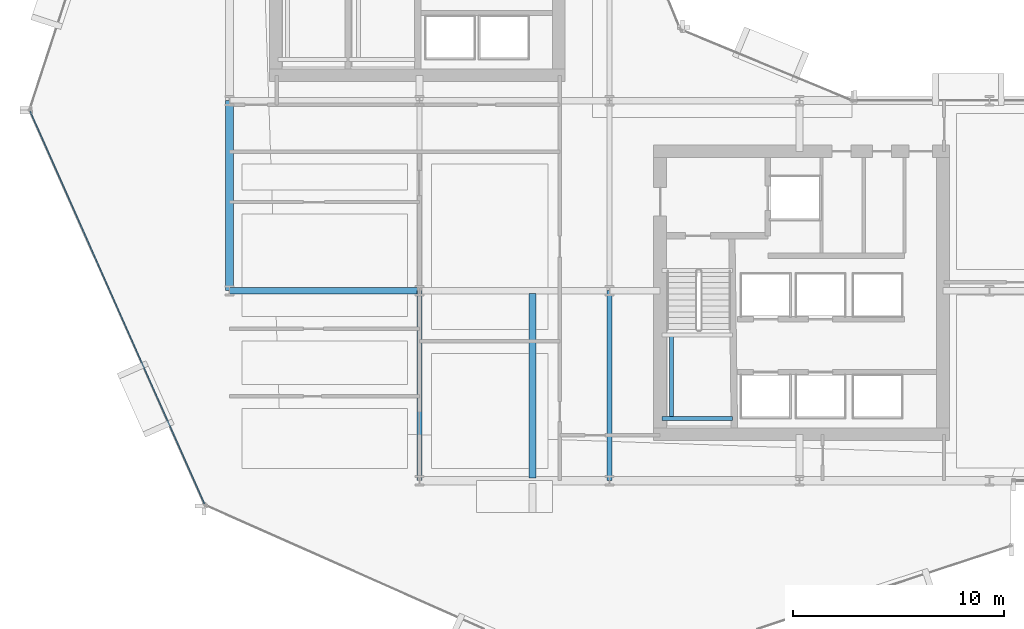
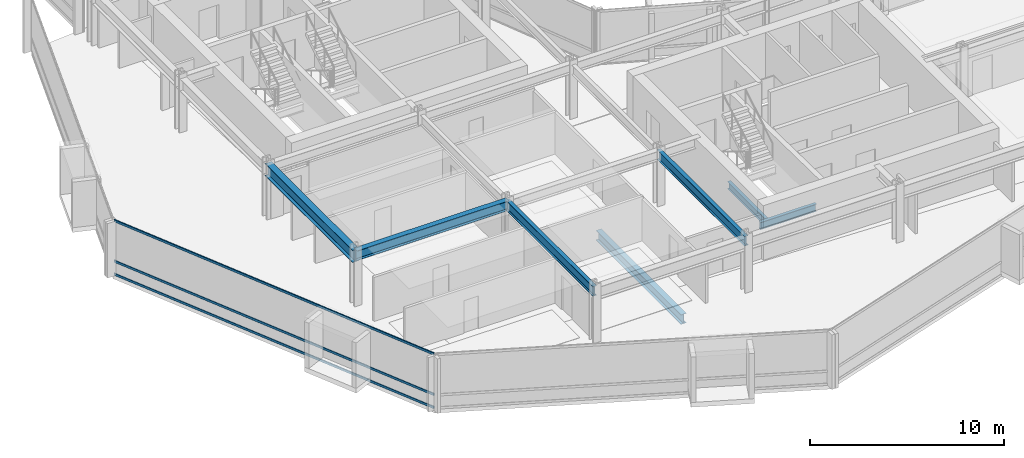
# One storey, part 5 of 34: 7 beams, 3 members, 1 element without a shape of its own.
"""IFC4 building model written with IfcOpenShell, lengths in metres."""

from ifc_helpers import new_model, si_unit, direction, frame, origin, origin_2d, place, context, subcontext, project, spatial, hollow_rectangle, i_section, extrude, material, layer, layer_set, material_profile, profile_set, type_object, element, aggregate, save


model = new_model("IFC4")

# Units and contexts
model_context = context("Model", 3, precision=1e-05, world=origin(), true_north=direction((0.0, 1.0)))
body_context = subcontext(model_context, "Body", "Model", "MODEL_VIEW")
ifc_project = project(units=[si_unit("LENGTHUNIT", "METRE"), si_unit("AREAUNIT", "SQUARE_METRE"), si_unit("VOLUMEUNIT", "CUBIC_METRE"), si_unit("PLANEANGLEUNIT", "RADIAN"), si_unit("MASSUNIT", "GRAM", prefix="KILO")], contexts=[model_context])

# Site, building, storey
site_placement = place(None, origin())
site = spatial("IfcSite", under=ifc_project, at=site_placement, CompositionType="ELEMENT")
building_placement = place(site_placement, origin())
building = spatial("IfcBuilding", under=site, at=building_placement, Name="Solvaryn Broadcast Tower", CompositionType="ELEMENT")
storey_placement = place(building_placement, frame((0.0, 0.0, 65.60009765625)))
storey = spatial("IfcBuildingStorey", under=building, at=storey_placement, Name="L15", CompositionType="ELEMENT", Elevation=65.60009765625)

# Beams
ifc_material_1 = material(Name="Steel ASTM A992 Grade 50", Category="steel")
ifc_material_profile_1 = material_profile(ifc_material_1, i_section(OverallWidth=0.323974609375, OverallDepth=0.611083984375, WebThickness=0.0126953125, FlangeThickness=0.01904296875, FilletRadius=0.014892578125, at=origin_2d()))
ifc_profile_set_1 = profile_set([ifc_material_profile_1], Name="Steel ASTM A992 Grade 50")
beam_type_1 = type_object("IfcBeamType", Name="BM-B1-W24X104", PredefinedType="BEAM", material=ifc_profile_set_1)
beam_1_placement = place(storey_placement, frame((23.35009765625, 17.875, -0.585693359375), z_axis=(0.0, -1.0, 0.0), x_axis=(1.0, 0.0, 0.0)))
element("IfcBeam", 1, at=beam_1_placement, inside=storey, type_object=beam_type_1, Name="L15 Bay-Box Back-Span Beam 1", PredefinedType="BEAM", context=body_context, shape_type="SweptSolid", body=[
    extrude(i_section(OverallWidth=0.323974609375, OverallDepth=0.611083984375, WebThickness=0.0126953125, FlangeThickness=0.01904296875, FilletRadius=0.014892578125, at=origin_2d()), origin(), (0.0, 0.0, 1.0), 8.75),
])
beam_2_placement = place(storey_placement, frame((9.0, 18.0, 3.114501953125), z_axis=(1.0, 0.0, 0.0), x_axis=(0.0, 1.0, 0.0)))
element("IfcBeam", 2, at=beam_2_placement, inside=storey, type_object=beam_type_1, Name="L15 Primary Beam X (9-18 @ Y=18)", PredefinedType="BEAM", context=body_context, shape_type="SweptSolid", body=[
    extrude(i_section(OverallWidth=0.323974609375, OverallDepth=0.611083984375, WebThickness=0.0126953125, FlangeThickness=0.01904296875, FilletRadius=0.014892578125, at=origin_2d()), origin(), (0.0, 0.0, 1.0), 9.0),
])
ifc_material_2 = material(Name="Steel ASTM A992 Grade 50", Category="steel")
ifc_material_profile_2 = material_profile(ifc_material_2, i_section(OverallWidth=0.22802734375, OverallDepth=0.60791015625, WebThickness=0.01123046875, FlangeThickness=0.017333984375, FilletRadius=0.014892578125, at=origin_2d()))
ifc_profile_set_2 = profile_set([ifc_material_profile_2], Name="Steel ASTM A992 Grade 50")
beam_type_2 = type_object("IfcBeamType", Name="BM-B2-W24X76", PredefinedType="BEAM", material=ifc_profile_set_2)
for number, where, z_axis, x_axis, name in (
    (3, (18.0, 9.0, 3.115966796875), (0.0, 1.0, 0.0), (-1.0, 0.0, 0.0), "L15 Primary Beam Y (9-18 @ X=18)"),
    (4, (27.0, 9.0, 3.115966796875), (0.0, 1.0, 0.0), (-1.0, 0.0, 0.0), "L15 Primary Beam Y (9-18 @ X=27)"),
):
    element("IfcBeam", number, at=place(storey_placement, frame(where, z_axis=z_axis, x_axis=x_axis)), inside=storey, type_object=beam_type_2, Name=name, PredefinedType="BEAM", context=body_context, shape_type="SweptSolid", body=[
        extrude(i_section(OverallWidth=0.22802734375, OverallDepth=0.60791015625, WebThickness=0.01123046875, FlangeThickness=0.017333984375, FilletRadius=0.014892578125, at=origin_2d()), origin(), (0.0, 0.0, 1.0), 9.0),
    ])
ifc_material_3 = material(Name="Steel ASTM A992 Grade 50", Category="steel")
ifc_material_profile_3 = material_profile(ifc_material_3, i_section(OverallWidth=0.18994140625, OverallDepth=0.45703125, WebThickness=0.009033203125, FlangeThickness=0.014404296875, FilletRadius=0.011962890625, at=origin_2d()))
ifc_profile_set_3 = profile_set([ifc_material_profile_3], Name="Steel ASTM A992 Grade 50")
beam_type_3 = type_object("IfcBeamType", Name="BM-B4-W18X50", PredefinedType="BEAM", material=ifc_profile_set_3)
beam_3_placement = place(storey_placement, frame((29.5, 11.949951171875, 1.42138671875), z_axis=(1.0, 0.0, 0.0), x_axis=(0.0, 1.0, 0.0)))
element("IfcBeam", 5, at=beam_3_placement, inside=storey, type_object=beam_type_3, Name="L15 ST3 Landing Support Beam 1A", PredefinedType="BEAM", context=body_context, shape_type="SweptSolid", body=[
    extrude(i_section(OverallWidth=0.18994140625, OverallDepth=0.45703125, WebThickness=0.009033203125, FlangeThickness=0.014404296875, FilletRadius=0.011962890625, at=origin_2d()), origin(), (0.0, 0.0, 1.0), 3.320068359375),
])
beam_4_placement = place(storey_placement, frame((29.949951171875, 11.949951171875, 1.42138671875), z_axis=(0.0, 1.0, 0.0), x_axis=(-1.0, 0.0, 0.0)))
element("IfcBeam", 6, at=beam_4_placement, inside=storey, type_object=beam_type_3, Name="L15 ST3 Landing Cross Stringer 1C", PredefinedType="BEAM", context=body_context, shape_type="SweptSolid", body=[
    extrude(i_section(OverallWidth=0.18994140625, OverallDepth=0.45703125, WebThickness=0.009033203125, FlangeThickness=0.014404296875, FilletRadius=0.011962890625, at=origin_2d()), origin(), (0.0, 0.0, 1.0), 3.9599609375),
])
ifc_material_4 = material(Name="Steel ASTM A992 Grade 50", Category="steel")
ifc_material_profile_4 = material_profile(ifc_material_4, i_section(OverallWidth=0.381103515625, OverallDepth=0.77294921875, WebThickness=0.0166015625, FlangeThickness=0.027099609375, FilletRadius=0.01806640625, at=origin_2d()))
ifc_profile_set_4 = profile_set([ifc_material_profile_4], Name="Steel ASTM A992 Grade 50")
beam_type_4 = type_object("IfcBeamType", Name="BM-SP1-W30X173", PredefinedType="USERDEFINED", material=ifc_profile_set_4)
beam_5_placement = place(storey_placement, frame((9.0, 18.0, 3.033447265625), z_axis=(0.0, 1.0, 0.0), x_axis=(-1.0, 0.0, 0.0)))
element("IfcBeam", 7, at=beam_5_placement, inside=storey, type_object=beam_type_4, Name="L15 Spandrel Beam Y (18-27 @ X=9)", ObjectType="SPANDREL", PredefinedType="USERDEFINED", context=body_context, shape_type="SweptSolid", body=[
    extrude(i_section(OverallWidth=0.381103515625, OverallDepth=0.77294921875, WebThickness=0.0166015625, FlangeThickness=0.027099609375, FilletRadius=0.01806640625, at=origin_2d()), origin(), (0.0, 0.0, 1.0), 9.0),
])

# Curtain wall, members
ifc_material_5 = material(Name="Aluminium and Terracotta Unitised Curtain Wall", Category="masonry")
ifc_layer = layer(ifc_material_5, 0.199951171875)
ifc_layer_set = layer_set([ifc_layer], Name="CW-SYS2-LOWMID")
curtain_wall_type = type_object("IfcCurtainWallType", Name="CW-SYS2-LOWMID", PredefinedType="NOTDEFINED", material=ifc_layer_set)
curtain_wall_placement = place(storey_placement, origin())
curtain_wall = element("IfcCurtainWall", 8, at=curtain_wall_placement, inside=storey, type_object=curtain_wall_type, Name="L15 Curtain Wall DR2", PredefinedType="NOTDEFINED")
ifc_material_6 = material(Name="Anodised Aluminium 6063-T6", Category="aluminium")
ifc_material_profile_5 = material_profile(ifc_material_6, hollow_rectangle(XDim=0.06494140625, YDim=0.14990234375, WallThickness=0.00390625, InnerFilletRadius=0.00390625, OuterFilletRadius=0.008056640625, at=origin_2d()))
ifc_profile_set_5 = profile_set([ifc_material_profile_5], Name="Anodised Aluminium 6063-T6")
member_type = type_object("IfcMemberType", Name="CW-TRN-150", PredefinedType="USERDEFINED", material=ifc_profile_set_5)
member_1_placement = place(storey_placement, frame((-0.439697265625, 26.505126953125, 0.02978515625), z_axis=(0.405905872269, -0.913914888191, 0.0), x_axis=(0.913914888191, 0.405905872269, 0.0)))
member_1 = element("IfcMember", 9, at=member_1_placement, type_object=member_type, Name="CWS2 transom 1.1", ObjectType="TRANSOM", PredefinedType="USERDEFINED", context=body_context, shape_type="SweptSolid", body=[
    extrude(hollow_rectangle(XDim=0.06494140625, YDim=0.14990234375, WallThickness=0.00390625, InnerFilletRadius=0.00390625, OuterFilletRadius=0.008056640625, at=origin_2d()), origin(), (0.0, 0.0, 1.0), 20.35546875),
])
member_2_placement = place(storey_placement, frame((-0.439697265625, 26.505126953125, 0.849853515625), z_axis=(0.405905872269, -0.913914888191, 0.0), x_axis=(0.913914888191, 0.405905872269, 0.0)))
member_2 = element("IfcMember", 10, at=member_2_placement, type_object=member_type, Name="CWS2 transom 1.2", ObjectType="TRANSOM", PredefinedType="USERDEFINED", context=body_context, shape_type="SweptSolid", body=[
    extrude(hollow_rectangle(XDim=0.06494140625, YDim=0.14990234375, WallThickness=0.00390625, InnerFilletRadius=0.00390625, OuterFilletRadius=0.008056640625, at=origin_2d()), origin(), (0.0, 0.0, 1.0), 20.35546875),
])
member_3_placement = place(storey_placement, frame((-0.439697265625, 26.505126953125, 3.389892578125), z_axis=(0.405905872269, -0.913914888191, 0.0), x_axis=(0.913914888191, 0.405905872269, 0.0)))
member_3 = element("IfcMember", 11, at=member_3_placement, type_object=member_type, Name="CWS2 transom 1.3", ObjectType="TRANSOM", PredefinedType="USERDEFINED", context=body_context, shape_type="SweptSolid", body=[
    extrude(hollow_rectangle(XDim=0.06494140625, YDim=0.14990234375, WallThickness=0.00390625, InnerFilletRadius=0.00390625, OuterFilletRadius=0.008056640625, at=origin_2d()), origin(), (0.0, 0.0, 1.0), 20.35546875),
])
aggregate(curtain_wall, [member_1, member_2, member_3])

save(model, "model.ifc")
